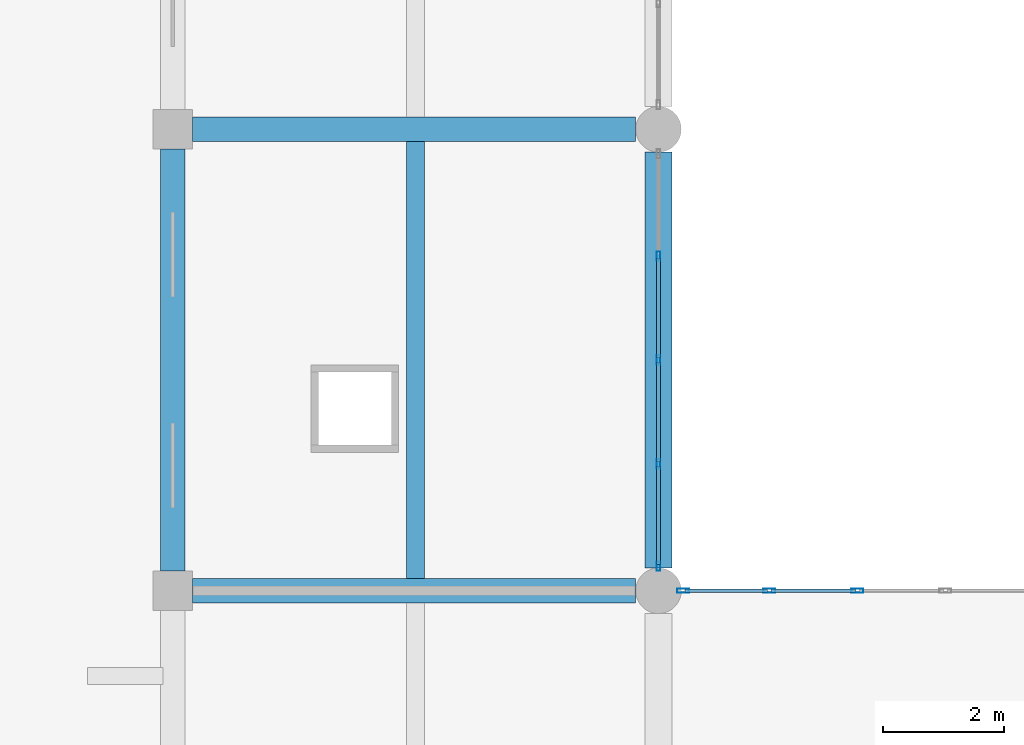
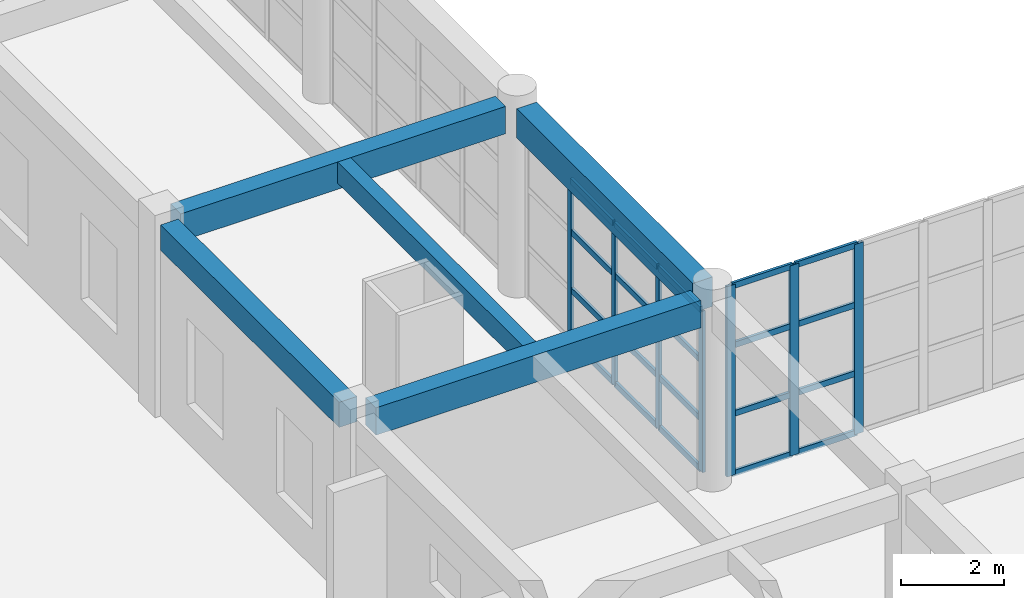
# One storey, part 9 of 101: 27 members, 5 beams, 2 elements without a shape of their own.
"""IFC4 building model written with IfcOpenShell, lengths in metres."""

import ifcopenshell
import ifcopenshell.guid

model = None  # the IFC model being written
_history = None  # IfcOwnerHistory: only IFC2X3 demands one
_inside = {}  # id of a spatial element -> (the spatial element, [elements in it])
_under = {}  # id of a project, library or spatial element -> (it, [spatial elements below it])
_declared = {}  # id of a project -> (the project, [libraries it declares])
_typed = {}  # id of a type object -> (the type object, [elements of that type])
_made_of = {}  # id of a material, layer set ... -> (it, [elements and type objects made of it])


def new_model(schema):
    """Start an empty IFC model of exactly this schema.

    Asked for "IFC4X3", IfcOpenShell would pick the latest addendum, in which some entities
    have other attributes; the version numbers below select the first issue.
    IFC2X3 requires an IfcOwnerHistory on every rooted entity: one is made here for all.
    """
    global model, _history
    if schema == "IFC4X3":
        model = ifcopenshell.file(schema_version=(4, 3, 0, 0))
    else:
        model = ifcopenshell.file(schema=schema)
    _inside.clear()
    _under.clear()
    _declared.clear()
    _typed.clear()
    _made_of.clear()
    _history = None
    if model.schema == "IFC2X3":
        org = make("IfcOrganization", Name="unknown")
        user = make(
            "IfcPersonAndOrganization",
            ThePerson=make("IfcPerson", FamilyName="unknown"),
            TheOrganization=org,
        )
        app = make(
            "IfcApplication",
            ApplicationDeveloper=org,
            Version="unknown",
            ApplicationFullName="unknown",
            ApplicationIdentifier="unknown",
        )
        _history = make(
            "IfcOwnerHistory",
            OwningUser=user,
            OwningApplication=app,
            ChangeAction="ADDED",
            CreationDate=0,
        )
    return model


def make(cls, **values):
    """One entity of the class cls with the attributes given. An attribute that is None is left unset."""
    return model.create_entity(
        cls, **{name: value for name, value in values.items() if value is not None}
    )


def rooted(cls, **values):
    """An entity with a GlobalId (a new one), such as an element, a storey or a relation."""
    return make(cls, GlobalId=ifcopenshell.guid.new(), OwnerHistory=_history, **values)


def si_unit(unit_type, name, prefix=None):
    """IfcSIUnit, for example si_unit("LENGTHUNIT", "METRE", prefix="MILLI")."""
    return make("IfcSIUnit", UnitType=unit_type, Prefix=prefix, Name=name)


def assignment(units):
    """IfcUnitAssignment: the units of a project."""
    return None if units is None else make("IfcUnitAssignment", Units=units)


def point(xyz):
    """IfcCartesianPoint."""
    return None if xyz is None else make("IfcCartesianPoint", Coordinates=xyz)


def direction(xyz):
    """IfcDirection."""
    return None if xyz is None else make("IfcDirection", DirectionRatios=xyz)


def frame(location, z_axis=None, x_axis=None):
    """IfcAxis2Placement3D, a coordinate frame: its origin and axes. An axis left out is left unset."""
    return make(
        "IfcAxis2Placement3D",
        Location=point(location),
        Axis=direction(z_axis),
        RefDirection=direction(x_axis),
    )


def frame_2d(location, x_axis=None):
    """IfcAxis2Placement2D, a coordinate frame in the plane: its origin and x axis."""
    return make(
        "IfcAxis2Placement2D", Location=point(location), RefDirection=direction(x_axis)
    )


def origin():
    """The frame at (0, 0, 0) with its axes left unset."""
    return frame((0.0, 0.0, 0.0))


def origin_2d():
    """The frame at (0, 0) in the plane with its x axis left unset."""
    return frame_2d((0.0, 0.0))


def place(relative_to, where):
    """IfcLocalPlacement: puts the frame where relative to a parent placement (None: the world)."""
    return make(
        "IfcLocalPlacement", PlacementRelTo=relative_to, RelativePlacement=where
    )


def context(
    kind, dimensions, precision=None, world=None, true_north=None, identifier=None
):
    """IfcGeometricRepresentationContext, for example the 3D "Model" context."""
    return make(
        "IfcGeometricRepresentationContext",
        ContextIdentifier=identifier,
        ContextType=kind,
        CoordinateSpaceDimension=dimensions,
        Precision=precision,
        WorldCoordinateSystem=world,
        TrueNorth=true_north,
    )


def subcontext(parent, identifier, kind, view, scale=None):
    """IfcGeometricRepresentationSubContext, for example "Body" below "Model"."""
    return make(
        "IfcGeometricRepresentationSubContext",
        ContextIdentifier=identifier,
        ContextType=kind,
        ParentContext=parent,
        TargetScale=scale,
        TargetView=view,
    )


def project(units=None, contexts=None):
    """IfcProject with its units and contexts."""
    return rooted(
        "IfcProject",
        Name="project",
        RepresentationContexts=contexts,
        UnitsInContext=assignment(units),
    )


def spatial(cls, under=None, at=None, **own):
    """A site, building, storey or space (cls), placed at a placement, below another one or the project."""
    s = rooted(cls, ObjectPlacement=at, **own)
    if under is not None:
        _under.setdefault(under.id(), (under, []))[1].append(s)
    return s


def profile(cls, at=None, kind="AREA", **sizes):
    """A parametric profile (cls). Its sizes go by their IFC names, for example OverallWidth=200.0."""
    return make(cls, ProfileType=kind, Position=at, **sizes)


def rectangle(**sizes):
    """IfcRectangleProfileDef."""
    return profile("IfcRectangleProfileDef", **sizes)


def hollow_rectangle(**sizes):
    """IfcRectangleHollowProfileDef."""
    return profile("IfcRectangleHollowProfileDef", **sizes)


def extrude(swept, where, along, depth):
    """IfcExtrudedAreaSolid: the profile swept, set in the frame where, extruded along a direction by depth."""
    return make(
        "IfcExtrudedAreaSolid",
        SweptArea=swept,
        Position=where,
        ExtrudedDirection=direction(along),
        Depth=depth,
    )


def shape(context_of_items, identifier, shape_type, items):
    """IfcShapeRepresentation: the items that make up one representation, for example the "Body"."""
    return make(
        "IfcShapeRepresentation",
        ContextOfItems=context_of_items,
        RepresentationIdentifier=identifier,
        RepresentationType=shape_type,
        Items=items,
    )


def material(Name=None, Category=None):
    """IfcMaterial."""
    return make("IfcMaterial", Name=Name, Category=Category)


def material_profile(
    of_material, cross_section, Name=None, Category=None, Priority=None
):
    """IfcMaterialProfile: a cross section and its material."""
    return make(
        "IfcMaterialProfile",
        Name=Name,
        Material=of_material,
        Profile=cross_section,
        Priority=Priority,
        Category=Category,
    )


def profile_set(profiles, Name=None, composite=None):
    """IfcMaterialProfileSet."""
    return make(
        "IfcMaterialProfileSet",
        Name=Name,
        MaterialProfiles=profiles,
        CompositeProfile=composite,
    )


def made_of(thing, what):
    """Note that an element or type object is made of a material, layer set ...; save() writes the relation."""
    if what is not None:
        _made_of.setdefault(what.id(), (what, []))[1].append(thing)
    return thing


def type_object(cls, material=None, **own):
    """A type object (cls), such as IfcWallType, which elements share."""
    return made_of(rooted(cls, **own), material)


def element(
    cls,
    number,
    at=None,
    inside=None,
    cuts=None,
    type_object=None,
    material=None,
    context=None,
    identifier="Body",
    shape_type=None,
    held_by="IfcProductDefinitionShape",
    body=None,
    shapes=None,
    **own,
):
    """One element of the class cls, such as IfcWall. Its Tag is "e" and its number.

    at: its placement. inside: the storey or other place that contains it. cuts: it is an
    opening in that element (IfcRelVoidsElement). A single representation is given by context,
    identifier, shape_type and body (its items); several are given by shapes. held_by: the class
    of the entity that holds the representations. save() writes the other relations.
    """
    e = rooted(cls, Tag="e%d" % number, ObjectPlacement=at, **own)
    if body is not None:
        shapes = [shape(context, identifier, shape_type, body)]
    if shapes is not None:
        e.Representation = make(held_by, Representations=shapes)
    if inside is not None:
        _inside.setdefault(inside.id(), (inside, []))[1].append(e)
    if cuts is not None:
        rooted(
            "IfcRelVoidsElement", RelatingBuildingElement=cuts, RelatedOpeningElement=e
        )
    if type_object is not None:
        _typed.setdefault(type_object.id(), (type_object, []))[1].append(e)
    return made_of(e, material)


def aggregate(whole, parts):
    """IfcRelAggregates: a whole, such as a stair, and the parts it consists of."""
    return rooted("IfcRelAggregates", RelatingObject=whole, RelatedObjects=parts)


def save(model, path):
    """Write the relations noted so far, then the file.

    IfcRelAggregates (storeys below a building ...), IfcRelContainedInSpatialStructure (elements
    in a storey), IfcRelDefinesByType, IfcRelAssociatesMaterial and IfcRelDeclares: one each for
    every whole, place, type object, material and project.
    """
    for whole, parts in _under.values():
        aggregate(whole, parts)
    for where, things in _inside.values():
        rooted(
            "IfcRelContainedInSpatialStructure",
            RelatedElements=things,
            RelatingStructure=where,
        )
    for kind, things in _typed.values():
        rooted("IfcRelDefinesByType", RelatedObjects=things, RelatingType=kind)
    for what, things in _made_of.values():
        rooted("IfcRelAssociatesMaterial", RelatedObjects=things, RelatingMaterial=what)
    for by, libraries in _declared.values():
        rooted("IfcRelDeclares", RelatingContext=by, RelatedDefinitions=libraries)
    model.write(path)


model = new_model("IFC4")

# Units and contexts
model_context = context("Model", 3, precision=1e-05, world=origin(), true_north=direction((0.0, 1.0)))
body_context = subcontext(model_context, "Body", "Model", "MODEL_VIEW")
ifc_project = project(units=[si_unit("LENGTHUNIT", "METRE"), si_unit("AREAUNIT", "SQUARE_METRE"), si_unit("VOLUMEUNIT", "CUBIC_METRE"), si_unit("PLANEANGLEUNIT", "RADIAN"), si_unit("MASSUNIT", "GRAM", prefix="KILO")], contexts=[model_context])

# Site, building, storey
site_placement = place(None, origin())
site = spatial("IfcSite", under=ifc_project, at=site_placement, CompositionType="ELEMENT")
building_placement = place(site_placement, origin())
building = spatial("IfcBuilding", under=site, at=building_placement, Name="Zantavel Square City Hall", CompositionType="ELEMENT")
storey_placement = place(building_placement, frame((0.0, 0.0, 5.39990234375)))
storey = spatial("IfcBuildingStorey", under=building, at=storey_placement, Name="L02", CompositionType="ELEMENT", Elevation=5.39990234375)

# Curtain wall, members
ifc_material_1 = material(Name="Anodised aluminium 6063-T6", Category="aluminium")
curtain_wall_type_1 = type_object("IfcCurtainWallType", Name="Curtain Wall CRT 7250x4520", PredefinedType="USERDEFINED", material=ifc_material_1)
curtain_wall_1_placement = place(storey_placement, origin())
curtain_wall_1 = element("IfcCurtainWall", 1, at=curtain_wall_1_placement, inside=storey, type_object=curtain_wall_type_1, Name="L02 Glazed Curtain Wall CW-L02-073", ObjectType="GLAZED CURTAIN WALL", PredefinedType="USERDEFINED")
ifc_material_profile_1 = material_profile(ifc_material_1, hollow_rectangle(XDim=0.070068359375, YDim=0.199951171875, WallThickness=0.00439453125, at=origin_2d()), Name="ALU 70x200x4.5")
ifc_profile_set_1 = profile_set([ifc_material_profile_1], Name="Anodised aluminium 6063-T6")
member_type_1 = type_object("IfcMemberType", Name="CW Heavy Hall Mullion ALU 70x200x4.5", PredefinedType="MULLION", material=ifc_profile_set_1)
member_1_placement = place(storey_placement, frame((16.405029296875, 38.0, 0.0), z_axis=(0.0, 0.0, 1.0), x_axis=(0.0, 1.0, 0.0)))
member_1 = element("IfcMember", 2, at=member_1_placement, type_object=member_type_1, Name="CW-073 mullion 1", PredefinedType="MULLION", context=body_context, shape_type="SweptSolid", body=[
    extrude(hollow_rectangle(XDim=0.070068359375, YDim=0.199951171875, WallThickness=0.00439453125, at=origin_2d()), origin(), (0.0, 0.0, 1.0), 4.52001953125),
])
member_2_placement = place(storey_placement, frame((17.824951171875, 38.0, 0.0), z_axis=(0.0, 0.0, 1.0), x_axis=(0.0, 1.0, 0.0)))
member_2 = element("IfcMember", 3, at=member_2_placement, type_object=member_type_1, Name="CW-073 mullion 2", PredefinedType="MULLION", context=body_context, shape_type="SweptSolid", body=[
    extrude(hollow_rectangle(XDim=0.070068359375, YDim=0.199951171875, WallThickness=0.00439453125, at=origin_2d()), origin(), (0.0, 0.0, 1.0), 4.52001953125),
])
member_3_placement = place(storey_placement, frame((19.27490234375, 38.0, 0.0), z_axis=(0.0, 0.0, 1.0), x_axis=(0.0, 1.0, 0.0)))
member_3 = element("IfcMember", 4, at=member_3_placement, type_object=member_type_1, Name="CW-073 mullion 3", PredefinedType="MULLION", context=body_context, shape_type="SweptSolid", body=[
    extrude(hollow_rectangle(XDim=0.070068359375, YDim=0.199951171875, WallThickness=0.00439453125, at=origin_2d()), origin(), (0.0, 0.0, 1.0), 4.52001953125),
])

curtain_wall_type_2 = type_object("IfcCurtainWallType", Name="Curtain Wall CRT 6850x3840", PredefinedType="USERDEFINED", material=ifc_material_1)
curtain_wall_2_placement = place(storey_placement, origin())
curtain_wall_2 = element("IfcCurtainWall", 5, at=curtain_wall_2_placement, inside=storey, type_object=curtain_wall_type_2, Name="L02 Glazed Curtain Wall CW-L02-072", ObjectType="GLAZED CURTAIN WALL", PredefinedType="USERDEFINED")
ifc_material_profile_2 = material_profile(ifc_material_1, hollow_rectangle(XDim=0.06494140625, YDim=0.14990234375, WallThickness=0.00390625, at=origin_2d()), Name="ALU 65x150x4")
ifc_profile_set_2 = profile_set([ifc_material_profile_2], Name="Anodised aluminium 6063-T6")
member_type_2 = type_object("IfcMemberType", Name="CW Mullion ALU 65x150x4", PredefinedType="MULLION", material=ifc_profile_set_2)
member_4_placement = place(storey_placement, frame((16.0, 43.512451171875, 0.0), z_axis=(0.0, 0.0, 1.0), x_axis=(1.0, 0.0, 0.0)))
member_4 = element("IfcMember", 6, at=member_4_placement, type_object=member_type_2, Name="CW-072 mullion 2", PredefinedType="MULLION", context=body_context, shape_type="SweptSolid", body=[
    extrude(hollow_rectangle(XDim=0.06494140625, YDim=0.14990234375, WallThickness=0.00390625, at=origin_2d()), origin(), (0.0, 0.0, 1.0), 3.840087890625),
])
member_5_placement = place(storey_placement, frame((16.0, 41.800048828125, 0.0), z_axis=(0.0, 0.0, 1.0), x_axis=(1.0, 0.0, 0.0)))
member_5 = element("IfcMember", 7, at=member_5_placement, type_object=member_type_2, Name="CW-072 mullion 3", PredefinedType="MULLION", context=body_context, shape_type="SweptSolid", body=[
    extrude(hollow_rectangle(XDim=0.06494140625, YDim=0.14990234375, WallThickness=0.00390625, at=origin_2d()), origin(), (0.0, 0.0, 1.0), 3.840087890625),
])
member_6_placement = place(storey_placement, frame((16.0, 40.08740234375, 0.0), z_axis=(0.0, 0.0, 1.0), x_axis=(1.0, 0.0, 0.0)))
member_6 = element("IfcMember", 8, at=member_6_placement, type_object=member_type_2, Name="CW-072 mullion 4", PredefinedType="MULLION", context=body_context, shape_type="SweptSolid", body=[
    extrude(hollow_rectangle(XDim=0.06494140625, YDim=0.14990234375, WallThickness=0.00390625, at=origin_2d()), origin(), (0.0, 0.0, 1.0), 3.840087890625),
])
member_7_placement = place(storey_placement, frame((16.0, 38.405029296875, 0.0), z_axis=(0.0, 0.0, 1.0), x_axis=(1.0, 0.0, 0.0)))
member_7 = element("IfcMember", 9, at=member_7_placement, type_object=member_type_2, Name="CW-072 mullion 5", PredefinedType="MULLION", context=body_context, shape_type="SweptSolid", body=[
    extrude(hollow_rectangle(XDim=0.06494140625, YDim=0.14990234375, WallThickness=0.00390625, at=origin_2d()), origin(), (0.0, 0.0, 1.0), 3.840087890625),
])
ifc_material_profile_3 = material_profile(ifc_material_1, hollow_rectangle(XDim=0.06005859375, YDim=0.139892578125, WallThickness=0.00390625, at=origin_2d()), Name="ALU 60x140x4")
ifc_profile_set_3 = profile_set([ifc_material_profile_3], Name="Anodised aluminium 6063-T6")
member_type_3 = type_object("IfcMemberType", Name="CW Transom ALU 60x140x4", PredefinedType="USERDEFINED", material=ifc_profile_set_3)
member_8_placement = place(storey_placement, frame((16.0, 43.482421875, 0.030029296875), z_axis=(0.0, -1.0, 0.0), x_axis=(1.0, 0.0, 0.0)))
member_8 = element("IfcMember", 10, at=member_8_placement, type_object=member_type_3, Name="CW-072 transom 2.1", ObjectType="TRANSOM", PredefinedType="USERDEFINED", context=body_context, shape_type="SweptSolid", body=[
    extrude(hollow_rectangle(XDim=0.06005859375, YDim=0.139892578125, WallThickness=0.00390625, at=origin_2d()), origin(), (0.0, 0.0, 1.0), 1.65234375),
])
member_9_placement = place(storey_placement, frame((16.0, 43.482421875, 1.22900390625), z_axis=(0.0, -1.0, 0.0), x_axis=(1.0, 0.0, 0.0)))
member_9 = element("IfcMember", 11, at=member_9_placement, type_object=member_type_3, Name="CW-072 transom 2.2", ObjectType="TRANSOM", PredefinedType="USERDEFINED", context=body_context, shape_type="SweptSolid", body=[
    extrude(hollow_rectangle(XDim=0.06005859375, YDim=0.139892578125, WallThickness=0.00390625, at=origin_2d()), origin(), (0.0, 0.0, 1.0), 1.65234375),
])
member_10_placement = place(storey_placement, frame((16.0, 43.482421875, 2.611083984375), z_axis=(0.0, -1.0, 0.0), x_axis=(1.0, 0.0, 0.0)))
member_10 = element("IfcMember", 12, at=member_10_placement, type_object=member_type_3, Name="CW-072 transom 2.3", ObjectType="TRANSOM", PredefinedType="USERDEFINED", context=body_context, shape_type="SweptSolid", body=[
    extrude(hollow_rectangle(XDim=0.06005859375, YDim=0.139892578125, WallThickness=0.00390625, at=origin_2d()), origin(), (0.0, 0.0, 1.0), 1.65234375),
])
member_11_placement = place(storey_placement, frame((16.0, 43.482421875, 3.81005859375), z_axis=(0.0, -1.0, 0.0), x_axis=(1.0, 0.0, 0.0)))
member_11 = element("IfcMember", 13, at=member_11_placement, type_object=member_type_3, Name="CW-072 transom 2.4", ObjectType="TRANSOM", PredefinedType="USERDEFINED", context=body_context, shape_type="SweptSolid", body=[
    extrude(hollow_rectangle(XDim=0.06005859375, YDim=0.139892578125, WallThickness=0.00390625, at=origin_2d()), origin(), (0.0, 0.0, 1.0), 1.65234375),
])
member_12_placement = place(storey_placement, frame((16.0, 41.77001953125, 0.030029296875), z_axis=(0.0, -1.0, 0.0), x_axis=(1.0, 0.0, 0.0)))
member_12 = element("IfcMember", 14, at=member_12_placement, type_object=member_type_3, Name="CW-072 transom 3.1", ObjectType="TRANSOM", PredefinedType="USERDEFINED", context=body_context, shape_type="SweptSolid", body=[
    extrude(hollow_rectangle(XDim=0.06005859375, YDim=0.139892578125, WallThickness=0.00390625, at=origin_2d()), origin(), (0.0, 0.0, 1.0), 1.652587890625),
])
member_13_placement = place(storey_placement, frame((16.0, 41.77001953125, 1.22900390625), z_axis=(0.0, -1.0, 0.0), x_axis=(1.0, 0.0, 0.0)))
member_13 = element("IfcMember", 15, at=member_13_placement, type_object=member_type_3, Name="CW-072 transom 3.2", ObjectType="TRANSOM", PredefinedType="USERDEFINED", context=body_context, shape_type="SweptSolid", body=[
    extrude(hollow_rectangle(XDim=0.06005859375, YDim=0.139892578125, WallThickness=0.00390625, at=origin_2d()), origin(), (0.0, 0.0, 1.0), 1.652587890625),
])
member_14_placement = place(storey_placement, frame((16.0, 41.77001953125, 2.611083984375), z_axis=(0.0, -1.0, 0.0), x_axis=(1.0, 0.0, 0.0)))
member_14 = element("IfcMember", 16, at=member_14_placement, type_object=member_type_3, Name="CW-072 transom 3.3", ObjectType="TRANSOM", PredefinedType="USERDEFINED", context=body_context, shape_type="SweptSolid", body=[
    extrude(hollow_rectangle(XDim=0.06005859375, YDim=0.139892578125, WallThickness=0.00390625, at=origin_2d()), origin(), (0.0, 0.0, 1.0), 1.652587890625),
])
member_15_placement = place(storey_placement, frame((16.0, 41.77001953125, 3.81005859375), z_axis=(0.0, -1.0, 0.0), x_axis=(1.0, 0.0, 0.0)))
member_15 = element("IfcMember", 17, at=member_15_placement, type_object=member_type_3, Name="CW-072 transom 3.4", ObjectType="TRANSOM", PredefinedType="USERDEFINED", context=body_context, shape_type="SweptSolid", body=[
    extrude(hollow_rectangle(XDim=0.06005859375, YDim=0.139892578125, WallThickness=0.00390625, at=origin_2d()), origin(), (0.0, 0.0, 1.0), 1.652587890625),
])
member_16_placement = place(storey_placement, frame((16.0, 40.0576171875, 0.030029296875), z_axis=(0.0, -1.0, 0.0), x_axis=(1.0, 0.0, 0.0)))
member_16 = element("IfcMember", 18, at=member_16_placement, type_object=member_type_3, Name="CW-072 transom 4.1", ObjectType="TRANSOM", PredefinedType="USERDEFINED", context=body_context, shape_type="SweptSolid", body=[
    extrude(hollow_rectangle(XDim=0.06005859375, YDim=0.139892578125, WallThickness=0.00390625, at=origin_2d()), origin(), (0.0, 0.0, 1.0), 1.62255859375),
])
member_17_placement = place(storey_placement, frame((16.0, 40.0576171875, 1.22900390625), z_axis=(0.0, -1.0, 0.0), x_axis=(1.0, 0.0, 0.0)))
member_17 = element("IfcMember", 19, at=member_17_placement, type_object=member_type_3, Name="CW-072 transom 4.2", ObjectType="TRANSOM", PredefinedType="USERDEFINED", context=body_context, shape_type="SweptSolid", body=[
    extrude(hollow_rectangle(XDim=0.06005859375, YDim=0.139892578125, WallThickness=0.00390625, at=origin_2d()), origin(), (0.0, 0.0, 1.0), 1.62255859375),
])
member_18_placement = place(storey_placement, frame((16.0, 40.0576171875, 2.611083984375), z_axis=(0.0, -1.0, 0.0), x_axis=(1.0, 0.0, 0.0)))
member_18 = element("IfcMember", 20, at=member_18_placement, type_object=member_type_3, Name="CW-072 transom 4.3", ObjectType="TRANSOM", PredefinedType="USERDEFINED", context=body_context, shape_type="SweptSolid", body=[
    extrude(hollow_rectangle(XDim=0.06005859375, YDim=0.139892578125, WallThickness=0.00390625, at=origin_2d()), origin(), (0.0, 0.0, 1.0), 1.62255859375),
])
member_19_placement = place(storey_placement, frame((16.0, 40.0576171875, 3.81005859375), z_axis=(0.0, -1.0, 0.0), x_axis=(1.0, 0.0, 0.0)))
member_19 = element("IfcMember", 21, at=member_19_placement, type_object=member_type_3, Name="CW-072 transom 4.4", ObjectType="TRANSOM", PredefinedType="USERDEFINED", context=body_context, shape_type="SweptSolid", body=[
    extrude(hollow_rectangle(XDim=0.06005859375, YDim=0.139892578125, WallThickness=0.00390625, at=origin_2d()), origin(), (0.0, 0.0, 1.0), 1.62255859375),
])
aggregate(curtain_wall_2, [member_4, member_5, member_6, member_7, member_8, member_9, member_10, member_11, member_12, member_13, member_14, member_15, member_16, member_17, member_18, member_19])

# Member
member_20_placement = place(storey_placement, frame((16.43505859375, 38.0, 0.030029296875), z_axis=(1.0, 0.0, 0.0), x_axis=(0.0, 1.0, 0.0)))
member_20 = element("IfcMember", 22, at=member_20_placement, type_object=member_type_3, Name="CW-073 transom 1.1", ObjectType="TRANSOM", PredefinedType="USERDEFINED", context=body_context, shape_type="SweptSolid", body=[
    extrude(hollow_rectangle(XDim=0.06005859375, YDim=0.139892578125, WallThickness=0.00390625, at=origin_2d()), origin(), (0.0, 0.0, 1.0), 1.35986328125),
])

member_21_placement = place(storey_placement, frame((16.43505859375, 38.0, 1.446044921875), z_axis=(1.0, 0.0, 0.0), x_axis=(0.0, 1.0, 0.0)))
member_21 = element("IfcMember", 23, at=member_21_placement, type_object=member_type_3, Name="CW-073 transom 1.2", ObjectType="TRANSOM", PredefinedType="USERDEFINED", context=body_context, shape_type="SweptSolid", body=[
    extrude(hollow_rectangle(XDim=0.06005859375, YDim=0.139892578125, WallThickness=0.00390625, at=origin_2d()), origin(), (0.0, 0.0, 1.0), 1.35986328125),
])

member_22_placement = place(storey_placement, frame((16.43505859375, 38.0, 3.07421875), z_axis=(1.0, 0.0, 0.0), x_axis=(0.0, 1.0, 0.0)))
member_22 = element("IfcMember", 24, at=member_22_placement, type_object=member_type_3, Name="CW-073 transom 1.3", ObjectType="TRANSOM", PredefinedType="USERDEFINED", context=body_context, shape_type="SweptSolid", body=[
    extrude(hollow_rectangle(XDim=0.06005859375, YDim=0.139892578125, WallThickness=0.00390625, at=origin_2d()), origin(), (0.0, 0.0, 1.0), 1.35986328125),
])

member_23_placement = place(storey_placement, frame((16.43505859375, 38.0, 4.489990234375), z_axis=(1.0, 0.0, 0.0), x_axis=(0.0, 1.0, 0.0)))
member_23 = element("IfcMember", 25, at=member_23_placement, type_object=member_type_3, Name="CW-073 transom 1.4", ObjectType="TRANSOM", PredefinedType="USERDEFINED", context=body_context, shape_type="SweptSolid", body=[
    extrude(hollow_rectangle(XDim=0.06005859375, YDim=0.139892578125, WallThickness=0.00390625, at=origin_2d()), origin(), (0.0, 0.0, 1.0), 1.35986328125),
])

member_24_placement = place(storey_placement, frame((17.85498046875, 38.0, 0.030029296875), z_axis=(1.0, 0.0, 0.0), x_axis=(0.0, 1.0, 0.0)))
member_24 = element("IfcMember", 26, at=member_24_placement, type_object=member_type_3, Name="CW-073 transom 2.1", ObjectType="TRANSOM", PredefinedType="USERDEFINED", context=body_context, shape_type="SweptSolid", body=[
    extrude(hollow_rectangle(XDim=0.06005859375, YDim=0.139892578125, WallThickness=0.00390625, at=origin_2d()), origin(), (0.0, 0.0, 1.0), 1.39013671875),
])

member_25_placement = place(storey_placement, frame((17.85498046875, 38.0, 1.446044921875), z_axis=(1.0, 0.0, 0.0), x_axis=(0.0, 1.0, 0.0)))
member_25 = element("IfcMember", 27, at=member_25_placement, type_object=member_type_3, Name="CW-073 transom 2.2", ObjectType="TRANSOM", PredefinedType="USERDEFINED", context=body_context, shape_type="SweptSolid", body=[
    extrude(hollow_rectangle(XDim=0.06005859375, YDim=0.139892578125, WallThickness=0.00390625, at=origin_2d()), origin(), (0.0, 0.0, 1.0), 1.39013671875),
])

member_26_placement = place(storey_placement, frame((17.85498046875, 38.0, 3.07421875), z_axis=(1.0, 0.0, 0.0), x_axis=(0.0, 1.0, 0.0)))
member_26 = element("IfcMember", 28, at=member_26_placement, type_object=member_type_3, Name="CW-073 transom 2.3", ObjectType="TRANSOM", PredefinedType="USERDEFINED", context=body_context, shape_type="SweptSolid", body=[
    extrude(hollow_rectangle(XDim=0.06005859375, YDim=0.139892578125, WallThickness=0.00390625, at=origin_2d()), origin(), (0.0, 0.0, 1.0), 1.39013671875),
])

member_27_placement = place(storey_placement, frame((17.85498046875, 38.0, 4.489990234375), z_axis=(1.0, 0.0, 0.0), x_axis=(0.0, 1.0, 0.0)))
member_27 = element("IfcMember", 29, at=member_27_placement, type_object=member_type_3, Name="CW-073 transom 2.4", ObjectType="TRANSOM", PredefinedType="USERDEFINED", context=body_context, shape_type="SweptSolid", body=[
    extrude(hollow_rectangle(XDim=0.06005859375, YDim=0.139892578125, WallThickness=0.00390625, at=origin_2d()), origin(), (0.0, 0.0, 1.0), 1.39013671875),
])

aggregate(curtain_wall_1, [member_1, member_2, member_3, member_20, member_21, member_22, member_23, member_24, member_25, member_26, member_27])

# Beams
ifc_material_2 = material(Name="Concrete C35/45", Category="concrete")
ifc_material_profile_4 = material_profile(ifc_material_2, rectangle(XDim=0.300048828125, YDim=0.5, at=origin_2d()), Name="RC 300x500")
ifc_profile_set_4 = profile_set([ifc_material_profile_4], Name="Concrete C35/45")
beam_type_1 = type_object("IfcBeamType", Name="Floor Joist RC 300x500 C35/45", PredefinedType="JOIST", material=ifc_profile_set_4)
beam_1_placement = place(storey_placement, frame((12.0, 38.199951171875, 4.2900390625), z_axis=(0.0, 1.0, 0.0), x_axis=(-1.0, 0.0, 0.0)))
element("IfcBeam", 30, at=beam_1_placement, inside=storey, type_object=beam_type_1, Name="L02 Floor Joist JST-L02-0120-0380", PredefinedType="JOIST", context=body_context, shape_type="SweptSolid", body=[
    extrude(rectangle(XDim=0.300048828125, YDim=0.5, at=origin_2d()), origin(), (0.0, 0.0, 1.0), 7.199951171875),
])
ifc_material_profile_5 = material_profile(ifc_material_2, rectangle(XDim=0.39990234375, YDim=0.64990234375, at=origin_2d()), Name="RC 400x650")
ifc_profile_set_5 = profile_set([ifc_material_profile_5], Name="Concrete C35/45")
beam_type_2 = type_object("IfcBeamType", Name="Frame Beam RC 400x650 C35/45", PredefinedType="BEAM", material=ifc_profile_set_5)
for number, where, z_axis, x_axis, name in (
    (31, (8.324951171875, 38.0, 4.215087890625), (1.0, 0.0, 0.0), (0.0, 1.0, 0.0), "L02 Girder BMX-L02-0080-0380"),
    (32, (8.324951171875, 45.60009765625, 4.215087890625), (1.0, 0.0, 0.0), (0.0, 1.0, 0.0), "L02 Girder BMX-L02-0080-0456"),
):
    element("IfcBeam", number, at=place(storey_placement, frame(where, z_axis=z_axis, x_axis=x_axis)), inside=storey, type_object=beam_type_2, Name=name, PredefinedType="BEAM", context=body_context, shape_type="SweptSolid", body=[
        extrude(rectangle(XDim=0.39990234375, YDim=0.64990234375, at=origin_2d()), origin(), (0.0, 0.0, 1.0), 7.300048828125),
    ])
ifc_material_profile_6 = material_profile(ifc_material_2, rectangle(XDim=0.39990234375, YDim=0.60009765625, at=origin_2d()), Name="RC 400x600")
ifc_profile_set_6 = profile_set([ifc_material_profile_6], Name="Concrete C35/45")
beam_type_3 = type_object("IfcBeamType", Name="Perimeter Spandrel RC 400x600 C35/45", PredefinedType="SPANDREL", material=ifc_profile_set_6)
beam_2_placement = place(storey_placement, frame((8.0, 38.324951171875, 4.239990234375), z_axis=(0.0, 1.0, 0.0), x_axis=(-1.0, 0.0, 0.0)))
element("IfcBeam", 33, at=beam_2_placement, inside=storey, type_object=beam_type_3, Name="L02 Beam BMY-L02-0080-0380", PredefinedType="SPANDREL", context=body_context, shape_type="SweptSolid", body=[
    extrude(rectangle(XDim=0.39990234375, YDim=0.60009765625, at=origin_2d()), origin(), (0.0, 0.0, 1.0), 6.949951171875),
])
ifc_material_profile_7 = material_profile(ifc_material_2, rectangle(XDim=0.449951171875, YDim=0.699951171875, at=origin_2d()), Name="RC 450x700")
ifc_profile_set_7 = profile_set([ifc_material_profile_7], Name="Concrete C35/45")
beam_type_4 = type_object("IfcBeamType", Name="Primary Girder RC 450x700 C35/45", PredefinedType="BEAM", material=ifc_profile_set_7)
beam_3_placement = place(storey_placement, frame((16.0, 38.375, 4.190185546875), z_axis=(0.0, 1.0, 0.0), x_axis=(-1.0, 0.0, 0.0)))
element("IfcBeam", 34, at=beam_3_placement, inside=storey, type_object=beam_type_4, Name="L02 Beam BMY-L02-0160-0380", PredefinedType="BEAM", context=body_context, shape_type="SweptSolid", body=[
    extrude(rectangle(XDim=0.449951171875, YDim=0.699951171875, at=origin_2d()), origin(), (0.0, 0.0, 1.0), 6.85009765625),
])

save(model, "model.ifc")
